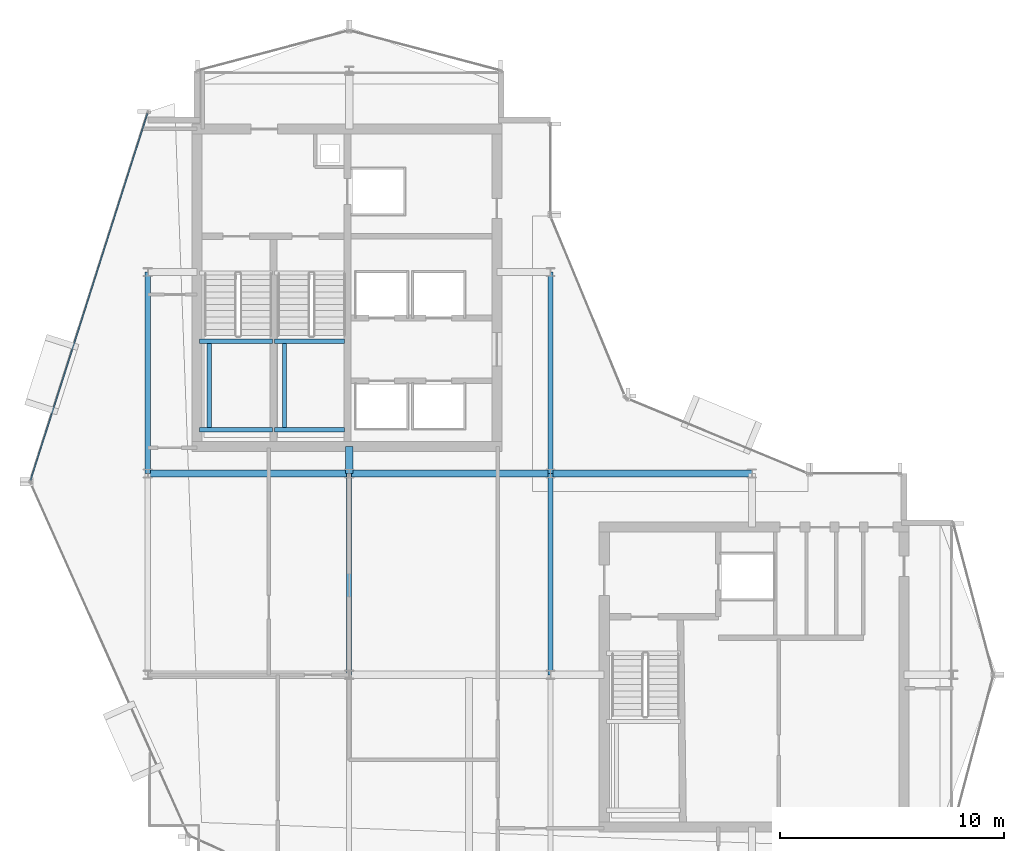
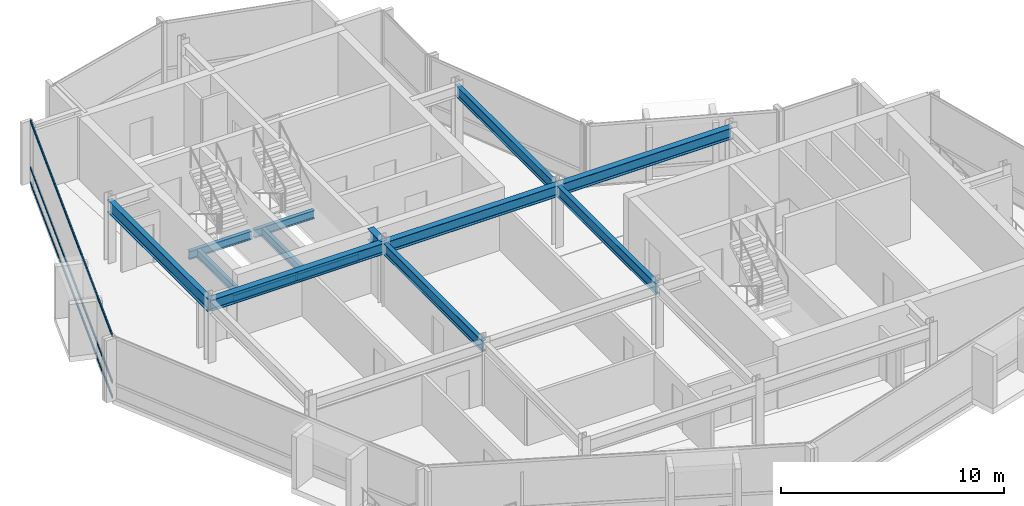
# One storey, part 7 of 19: 14 beams, 3 members, 1 element without a shape of its own.
"""IFC4 building model written with IfcOpenShell, lengths in metres."""

from ifc_helpers import new_model, si_unit, direction, frame, origin, origin_2d, place, context, subcontext, project, spatial, hollow_rectangle, i_section, extrude, material, layer, layer_set, material_profile, profile_set, type_object, element, aggregate, save


model = new_model("IFC4")

# Units and contexts
model_context = context("Model", 3, precision=1e-05, world=origin(), true_north=direction((0.0, 1.0)))
body_context = subcontext(model_context, "Body", "Model", "MODEL_VIEW")
ifc_project = project(units=[si_unit("LENGTHUNIT", "METRE"), si_unit("AREAUNIT", "SQUARE_METRE"), si_unit("VOLUMEUNIT", "CUBIC_METRE"), si_unit("PLANEANGLEUNIT", "RADIAN"), si_unit("MASSUNIT", "GRAM", prefix="KILO")], contexts=[model_context])

# Site, building, storey
site_placement = place(None, origin())
site = spatial("IfcSite", under=ifc_project, at=site_placement, CompositionType="ELEMENT")
building_placement = place(site_placement, origin())
building = spatial("IfcBuilding", under=site, at=building_placement, Name="Solvaryn Broadcast Tower", CompositionType="ELEMENT")
storey_placement = place(building_placement, frame((0.0, 0.0, 255.60009765625)))
storey = spatial("IfcBuildingStorey", under=building, at=storey_placement, Name="L64", CompositionType="ELEMENT", Elevation=255.60009765625)

# Beams
ifc_material_1 = material(Name="Steel ASTM A992 Grade 50", Category="steel")
ifc_material_profile_1 = material_profile(ifc_material_1, i_section(OverallWidth=0.323974609375, OverallDepth=0.611083984375, WebThickness=0.0126953125, FlangeThickness=0.01904296875, FilletRadius=0.014892578125, at=origin_2d()))
ifc_profile_set_1 = profile_set([ifc_material_profile_1], Name="Steel ASTM A992 Grade 50")
beam_type_1 = type_object("IfcBeamType", Name="BM-B1-W24X104", PredefinedType="BEAM", material=ifc_profile_set_1)
for number, where, z_axis, x_axis, name in (
    (1, (9.0, 27.0, 3.114501953125), (1.0, 0.0, 0.0), (0.0, 1.0, 0.0), "L64 Primary Beam X (9-18 @ Y=27)"),
    (2, (18.0, 27.0, 3.114501953125), (1.0, 0.0, 0.0), (0.0, 1.0, 0.0), "L64 Primary Beam X (18-27 @ Y=27)"),
    (3, (27.0, 27.0, 3.114501953125), (1.0, 0.0, 0.0), (0.0, 1.0, 0.0), "L64 Primary Beam X (27-36 @ Y=27)"),
):
    element("IfcBeam", number, at=place(storey_placement, frame(where, z_axis=z_axis, x_axis=x_axis)), inside=storey, type_object=beam_type_1, Name=name, PredefinedType="BEAM", context=body_context, shape_type="SweptSolid", body=[
        extrude(i_section(OverallWidth=0.323974609375, OverallDepth=0.611083984375, WebThickness=0.0126953125, FlangeThickness=0.01904296875, FilletRadius=0.014892578125, at=origin_2d()), origin(), (0.0, 0.0, 1.0), 9.0),
    ])
beam_1_placement = place(storey_placement, frame((18.0, 27.0, 3.114501953125), z_axis=(0.0, 1.0, 0.0), x_axis=(-1.0, 0.0, 0.0)))
element("IfcBeam", 4, at=beam_1_placement, inside=storey, type_object=beam_type_1, Name="L64 Core Tie Beam CTW4", PredefinedType="BEAM", context=body_context, shape_type="SweptSolid", body=[
    extrude(i_section(OverallWidth=0.323974609375, OverallDepth=0.611083984375, WebThickness=0.0126953125, FlangeThickness=0.01904296875, FilletRadius=0.014892578125, at=origin_2d()), origin(), (0.0, 0.0, 1.0), 1.199951171875),
])
ifc_material_2 = material(Name="Steel ASTM A992 Grade 50", Category="steel")
ifc_material_profile_2 = material_profile(ifc_material_2, i_section(OverallWidth=0.22802734375, OverallDepth=0.60791015625, WebThickness=0.01123046875, FlangeThickness=0.017333984375, FilletRadius=0.014892578125, at=origin_2d()))
ifc_profile_set_2 = profile_set([ifc_material_profile_2], Name="Steel ASTM A992 Grade 50")
beam_type_2 = type_object("IfcBeamType", Name="BM-B2-W24X76", PredefinedType="BEAM", material=ifc_profile_set_2)
for number, where, z_axis, x_axis, name in (
    (5, (18.0, 18.0, 3.115966796875), (0.0, 1.0, 0.0), (-1.0, 0.0, 0.0), "L64 Primary Beam Y (18-27 @ X=18)"),
    (6, (27.0, 18.0, 3.115966796875), (0.0, 1.0, 0.0), (-1.0, 0.0, 0.0), "L64 Primary Beam Y (18-27 @ X=27)"),
    (7, (27.0, 27.0, 3.115966796875), (0.0, 1.0, 0.0), (-1.0, 0.0, 0.0), "L64 Primary Beam Y (27-36 @ X=27)"),
):
    element("IfcBeam", number, at=place(storey_placement, frame(where, z_axis=z_axis, x_axis=x_axis)), inside=storey, type_object=beam_type_2, Name=name, PredefinedType="BEAM", context=body_context, shape_type="SweptSolid", body=[
        extrude(i_section(OverallWidth=0.22802734375, OverallDepth=0.60791015625, WebThickness=0.01123046875, FlangeThickness=0.017333984375, FilletRadius=0.014892578125, at=origin_2d()), origin(), (0.0, 0.0, 1.0), 9.0),
    ])
ifc_material_3 = material(Name="Steel ASTM A992 Grade 50", Category="steel")
ifc_material_profile_3 = material_profile(ifc_material_3, i_section(OverallWidth=0.18994140625, OverallDepth=0.45703125, WebThickness=0.009033203125, FlangeThickness=0.014404296875, FilletRadius=0.011962890625, at=origin_2d()))
ifc_profile_set_3 = profile_set([ifc_material_profile_3], Name="Steel ASTM A992 Grade 50")
beam_type_3 = type_object("IfcBeamType", Name="BM-B4-W18X50", PredefinedType="BEAM", material=ifc_profile_set_3)
for number, where, z_axis, x_axis, name in (
    (8, (11.300048828125, 28.949951171875, 1.42138671875), (1.0, 0.0, 0.0), (0.0, 1.0, 0.0), "L64 ST1 Landing Support Beam 1A"),
    (9, (11.300048828125, 32.909912109375, 1.42138671875), (1.0, 0.0, 0.0), (0.0, 1.0, 0.0), "L64 ST1 Landing Support Beam 1B"),
):
    element("IfcBeam", number, at=place(storey_placement, frame(where, z_axis=z_axis, x_axis=x_axis)), inside=storey, type_object=beam_type_3, Name=name, PredefinedType="BEAM", context=body_context, shape_type="SweptSolid", body=[
        extrude(i_section(OverallWidth=0.18994140625, OverallDepth=0.45703125, WebThickness=0.009033203125, FlangeThickness=0.014404296875, FilletRadius=0.011962890625, at=origin_2d()), origin(), (0.0, 0.0, 1.0), 3.280029296875),
    ])
beam_2_placement = place(storey_placement, frame((11.75, 28.949951171875, 1.42138671875), z_axis=(0.0, 1.0, 0.0), x_axis=(-1.0, 0.0, 0.0)))
element("IfcBeam", 10, at=beam_2_placement, inside=storey, type_object=beam_type_3, Name="L64 ST1 Landing Cross Stringer 1C", PredefinedType="BEAM", context=body_context, shape_type="SweptSolid", body=[
    extrude(i_section(OverallWidth=0.18994140625, OverallDepth=0.45703125, WebThickness=0.009033203125, FlangeThickness=0.014404296875, FilletRadius=0.011962890625, at=origin_2d()), origin(), (0.0, 0.0, 1.0), 3.9599609375),
])
for number, where, z_axis, x_axis, name in (
    (11, (14.659912109375, 28.949951171875, 1.42138671875), (1.0, 0.0, 0.0), (0.0, 1.0, 0.0), "L64 ST2 Landing Support Beam 1A"),
    (12, (14.659912109375, 32.909912109375, 1.42138671875), (1.0, 0.0, 0.0), (0.0, 1.0, 0.0), "L64 ST2 Landing Support Beam 1B"),
):
    element("IfcBeam", number, at=place(storey_placement, frame(where, z_axis=z_axis, x_axis=x_axis)), inside=storey, type_object=beam_type_3, Name=name, PredefinedType="BEAM", context=body_context, shape_type="SweptSolid", body=[
        extrude(i_section(OverallWidth=0.18994140625, OverallDepth=0.45703125, WebThickness=0.009033203125, FlangeThickness=0.014404296875, FilletRadius=0.011962890625, at=origin_2d()), origin(), (0.0, 0.0, 1.0), 3.14013671875),
    ])
beam_3_placement = place(storey_placement, frame((15.110107421875, 28.949951171875, 1.42138671875), z_axis=(0.0, 1.0, 0.0), x_axis=(-1.0, 0.0, 0.0)))
element("IfcBeam", 13, at=beam_3_placement, inside=storey, type_object=beam_type_3, Name="L64 ST2 Landing Cross Stringer 1C", PredefinedType="BEAM", context=body_context, shape_type="SweptSolid", body=[
    extrude(i_section(OverallWidth=0.18994140625, OverallDepth=0.45703125, WebThickness=0.009033203125, FlangeThickness=0.014404296875, FilletRadius=0.011962890625, at=origin_2d()), origin(), (0.0, 0.0, 1.0), 3.9599609375),
])
ifc_material_4 = material(Name="Steel ASTM A992 Grade 50", Category="steel")
ifc_material_profile_4 = material_profile(ifc_material_4, i_section(OverallWidth=0.256103515625, OverallDepth=0.693115234375, WebThickness=0.014404296875, FlangeThickness=0.023681640625, FilletRadius=0.01611328125, at=origin_2d()))
ifc_profile_set_4 = profile_set([ifc_material_profile_4], Name="Steel ASTM A992 Grade 50")
beam_type_4 = type_object("IfcBeamType", Name="BM-SP3-W27X114", PredefinedType="USERDEFINED", material=ifc_profile_set_4)
beam_4_placement = place(storey_placement, frame((9.0, 27.0, 3.073486328125), z_axis=(0.0, 1.0, 0.0), x_axis=(-1.0, 0.0, 0.0)))
element("IfcBeam", 14, at=beam_4_placement, inside=storey, type_object=beam_type_4, Name="L64 Spandrel Beam Y (27-36 @ X=9)", ObjectType="SPANDREL", PredefinedType="USERDEFINED", context=body_context, shape_type="SweptSolid", body=[
    extrude(i_section(OverallWidth=0.256103515625, OverallDepth=0.693115234375, WebThickness=0.014404296875, FlangeThickness=0.023681640625, FilletRadius=0.01611328125, at=origin_2d()), origin(), (0.0, 0.0, 1.0), 9.0),
])

# Curtain wall, members
ifc_material_5 = material(Name="Aluminium and Terracotta Unitised Curtain Wall", Category="masonry")
ifc_layer = layer(ifc_material_5, 0.199951171875)
ifc_layer_set = layer_set([ifc_layer], Name="CW-SYS2-LOWMID")
curtain_wall_type = type_object("IfcCurtainWallType", Name="CW-SYS2-LOWMID", PredefinedType="NOTDEFINED", material=ifc_layer_set)
curtain_wall_placement = place(storey_placement, origin())
curtain_wall = element("IfcCurtainWall", 15, at=curtain_wall_placement, inside=storey, type_object=curtain_wall_type, Name="L64 Curtain Wall DR1", PredefinedType="NOTDEFINED")
ifc_material_6 = material(Name="Anodised Aluminium 6063-T6", Category="aluminium")
ifc_material_profile_5 = material_profile(ifc_material_6, hollow_rectangle(XDim=0.06494140625, YDim=0.14990234375, WallThickness=0.00390625, InnerFilletRadius=0.00390625, OuterFilletRadius=0.008056640625, at=origin_2d()))
ifc_profile_set_5 = profile_set([ifc_material_profile_5], Name="Anodised Aluminium 6063-T6")
member_type = type_object("IfcMemberType", Name="CW-TRN-150", PredefinedType="USERDEFINED", material=ifc_profile_set_5)
member_1_placement = place(storey_placement, frame((8.981689453125, 43.091796875, 0.02978515625), z_axis=(-0.303616405252, -0.952794352661, 0.0), x_axis=(0.952794352661, -0.303616405252, 0.0)))
member_1 = element("IfcMember", 16, at=member_1_placement, type_object=member_type, Name="CWS2 transom 1.1", ObjectType="TRANSOM", PredefinedType="USERDEFINED", context=body_context, shape_type="SweptSolid", body=[
    extrude(hollow_rectangle(XDim=0.06494140625, YDim=0.14990234375, WallThickness=0.00390625, InnerFilletRadius=0.00390625, OuterFilletRadius=0.008056640625, at=origin_2d()), origin(), (0.0, 0.0, 1.0), 17.211181640625),
])
member_2_placement = place(storey_placement, frame((8.981689453125, 43.091796875, 0.849853515625), z_axis=(-0.303616405252, -0.952794352661, 0.0), x_axis=(0.952794352661, -0.303616405252, 0.0)))
member_2 = element("IfcMember", 17, at=member_2_placement, type_object=member_type, Name="CWS2 transom 1.2", ObjectType="TRANSOM", PredefinedType="USERDEFINED", context=body_context, shape_type="SweptSolid", body=[
    extrude(hollow_rectangle(XDim=0.06494140625, YDim=0.14990234375, WallThickness=0.00390625, InnerFilletRadius=0.00390625, OuterFilletRadius=0.008056640625, at=origin_2d()), origin(), (0.0, 0.0, 1.0), 17.211181640625),
])
member_3_placement = place(storey_placement, frame((8.981689453125, 43.091796875, 3.389892578125), z_axis=(-0.303616405252, -0.952794352661, 0.0), x_axis=(0.952794352661, -0.303616405252, 0.0)))
member_3 = element("IfcMember", 18, at=member_3_placement, type_object=member_type, Name="CWS2 transom 1.3", ObjectType="TRANSOM", PredefinedType="USERDEFINED", context=body_context, shape_type="SweptSolid", body=[
    extrude(hollow_rectangle(XDim=0.06494140625, YDim=0.14990234375, WallThickness=0.00390625, InnerFilletRadius=0.00390625, OuterFilletRadius=0.008056640625, at=origin_2d()), origin(), (0.0, 0.0, 1.0), 17.211181640625),
])
aggregate(curtain_wall, [member_1, member_2, member_3])

save(model, "model.ifc")
